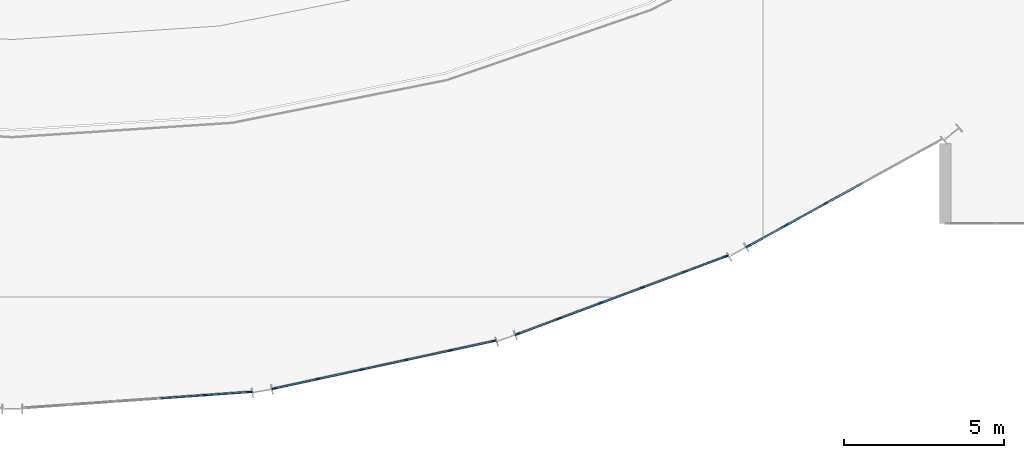
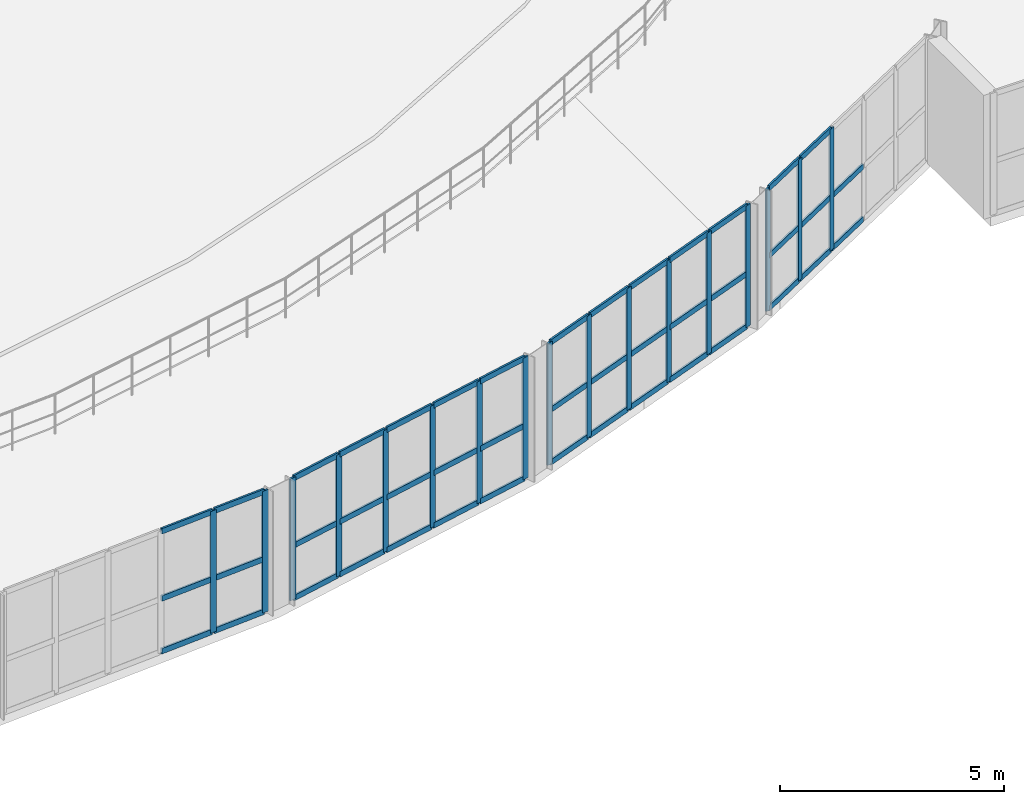
# One storey, part 14 of 40: 61 members, 4 elements without a shape of their own.
"""IFC4 building model written with IfcOpenShell, lengths in metres."""

import ifcopenshell
import ifcopenshell.guid

model = None  # the IFC model being written
_history = None  # IfcOwnerHistory: only IFC2X3 demands one
_inside = {}  # id of a spatial element -> (the spatial element, [elements in it])
_under = {}  # id of a project, library or spatial element -> (it, [spatial elements below it])
_declared = {}  # id of a project -> (the project, [libraries it declares])
_typed = {}  # id of a type object -> (the type object, [elements of that type])
_made_of = {}  # id of a material, layer set ... -> (it, [elements and type objects made of it])


def new_model(schema):
    """Start an empty IFC model of exactly this schema.

    Asked for "IFC4X3", IfcOpenShell would pick the latest addendum, in which some entities
    have other attributes; the version numbers below select the first issue.
    IFC2X3 requires an IfcOwnerHistory on every rooted entity: one is made here for all.
    """
    global model, _history
    if schema == "IFC4X3":
        model = ifcopenshell.file(schema_version=(4, 3, 0, 0))
    else:
        model = ifcopenshell.file(schema=schema)
    _inside.clear()
    _under.clear()
    _declared.clear()
    _typed.clear()
    _made_of.clear()
    _history = None
    if model.schema == "IFC2X3":
        org = make("IfcOrganization", Name="unknown")
        user = make(
            "IfcPersonAndOrganization",
            ThePerson=make("IfcPerson", FamilyName="unknown"),
            TheOrganization=org,
        )
        app = make(
            "IfcApplication",
            ApplicationDeveloper=org,
            Version="unknown",
            ApplicationFullName="unknown",
            ApplicationIdentifier="unknown",
        )
        _history = make(
            "IfcOwnerHistory",
            OwningUser=user,
            OwningApplication=app,
            ChangeAction="ADDED",
            CreationDate=0,
        )
    return model


def make(cls, **values):
    """One entity of the class cls with the attributes given. An attribute that is None is left unset."""
    return model.create_entity(
        cls, **{name: value for name, value in values.items() if value is not None}
    )


def rooted(cls, **values):
    """An entity with a GlobalId (a new one), such as an element, a storey or a relation."""
    return make(cls, GlobalId=ifcopenshell.guid.new(), OwnerHistory=_history, **values)


def si_unit(unit_type, name, prefix=None):
    """IfcSIUnit, for example si_unit("LENGTHUNIT", "METRE", prefix="MILLI")."""
    return make("IfcSIUnit", UnitType=unit_type, Prefix=prefix, Name=name)


def assignment(units):
    """IfcUnitAssignment: the units of a project."""
    return None if units is None else make("IfcUnitAssignment", Units=units)


def point(xyz):
    """IfcCartesianPoint."""
    return None if xyz is None else make("IfcCartesianPoint", Coordinates=xyz)


def direction(xyz):
    """IfcDirection."""
    return None if xyz is None else make("IfcDirection", DirectionRatios=xyz)


def frame(location, z_axis=None, x_axis=None):
    """IfcAxis2Placement3D, a coordinate frame: its origin and axes. An axis left out is left unset."""
    return make(
        "IfcAxis2Placement3D",
        Location=point(location),
        Axis=direction(z_axis),
        RefDirection=direction(x_axis),
    )


def frame_2d(location, x_axis=None):
    """IfcAxis2Placement2D, a coordinate frame in the plane: its origin and x axis."""
    return make(
        "IfcAxis2Placement2D", Location=point(location), RefDirection=direction(x_axis)
    )


def origin():
    """The frame at (0, 0, 0) with its axes left unset."""
    return frame((0.0, 0.0, 0.0))


def origin_2d():
    """The frame at (0, 0) in the plane with its x axis left unset."""
    return frame_2d((0.0, 0.0))


def place(relative_to, where):
    """IfcLocalPlacement: puts the frame where relative to a parent placement (None: the world)."""
    return make(
        "IfcLocalPlacement", PlacementRelTo=relative_to, RelativePlacement=where
    )


def context(
    kind, dimensions, precision=None, world=None, true_north=None, identifier=None
):
    """IfcGeometricRepresentationContext, for example the 3D "Model" context."""
    return make(
        "IfcGeometricRepresentationContext",
        ContextIdentifier=identifier,
        ContextType=kind,
        CoordinateSpaceDimension=dimensions,
        Precision=precision,
        WorldCoordinateSystem=world,
        TrueNorth=true_north,
    )


def subcontext(parent, identifier, kind, view, scale=None):
    """IfcGeometricRepresentationSubContext, for example "Body" below "Model"."""
    return make(
        "IfcGeometricRepresentationSubContext",
        ContextIdentifier=identifier,
        ContextType=kind,
        ParentContext=parent,
        TargetScale=scale,
        TargetView=view,
    )


def project(units=None, contexts=None):
    """IfcProject with its units and contexts."""
    return rooted(
        "IfcProject",
        Name="project",
        RepresentationContexts=contexts,
        UnitsInContext=assignment(units),
    )


def spatial(cls, under=None, at=None, **own):
    """A site, building, storey or space (cls), placed at a placement, below another one or the project."""
    s = rooted(cls, ObjectPlacement=at, **own)
    if under is not None:
        _under.setdefault(under.id(), (under, []))[1].append(s)
    return s


def profile(cls, at=None, kind="AREA", **sizes):
    """A parametric profile (cls). Its sizes go by their IFC names, for example OverallWidth=200.0."""
    return make(cls, ProfileType=kind, Position=at, **sizes)


def rectangle(**sizes):
    """IfcRectangleProfileDef."""
    return profile("IfcRectangleProfileDef", **sizes)


def extrude(swept, where, along, depth):
    """IfcExtrudedAreaSolid: the profile swept, set in the frame where, extruded along a direction by depth."""
    return make(
        "IfcExtrudedAreaSolid",
        SweptArea=swept,
        Position=where,
        ExtrudedDirection=direction(along),
        Depth=depth,
    )


def shape(context_of_items, identifier, shape_type, items):
    """IfcShapeRepresentation: the items that make up one representation, for example the "Body"."""
    return make(
        "IfcShapeRepresentation",
        ContextOfItems=context_of_items,
        RepresentationIdentifier=identifier,
        RepresentationType=shape_type,
        Items=items,
    )


def material(Name=None, Category=None):
    """IfcMaterial."""
    return make("IfcMaterial", Name=Name, Category=Category)


def material_profile(
    of_material, cross_section, Name=None, Category=None, Priority=None
):
    """IfcMaterialProfile: a cross section and its material."""
    return make(
        "IfcMaterialProfile",
        Name=Name,
        Material=of_material,
        Profile=cross_section,
        Priority=Priority,
        Category=Category,
    )


def profile_set(profiles, Name=None, composite=None):
    """IfcMaterialProfileSet."""
    return make(
        "IfcMaterialProfileSet",
        Name=Name,
        MaterialProfiles=profiles,
        CompositeProfile=composite,
    )


def made_of(thing, what):
    """Note that an element or type object is made of a material, layer set ...; save() writes the relation."""
    if what is not None:
        _made_of.setdefault(what.id(), (what, []))[1].append(thing)
    return thing


def type_object(cls, material=None, **own):
    """A type object (cls), such as IfcWallType, which elements share."""
    return made_of(rooted(cls, **own), material)


def element(
    cls,
    number,
    at=None,
    inside=None,
    cuts=None,
    type_object=None,
    material=None,
    context=None,
    identifier="Body",
    shape_type=None,
    held_by="IfcProductDefinitionShape",
    body=None,
    shapes=None,
    **own,
):
    """One element of the class cls, such as IfcWall. Its Tag is "e" and its number.

    at: its placement. inside: the storey or other place that contains it. cuts: it is an
    opening in that element (IfcRelVoidsElement). A single representation is given by context,
    identifier, shape_type and body (its items); several are given by shapes. held_by: the class
    of the entity that holds the representations. save() writes the other relations.
    """
    e = rooted(cls, Tag="e%d" % number, ObjectPlacement=at, **own)
    if body is not None:
        shapes = [shape(context, identifier, shape_type, body)]
    if shapes is not None:
        e.Representation = make(held_by, Representations=shapes)
    if inside is not None:
        _inside.setdefault(inside.id(), (inside, []))[1].append(e)
    if cuts is not None:
        rooted(
            "IfcRelVoidsElement", RelatingBuildingElement=cuts, RelatedOpeningElement=e
        )
    if type_object is not None:
        _typed.setdefault(type_object.id(), (type_object, []))[1].append(e)
    return made_of(e, material)


def aggregate(whole, parts):
    """IfcRelAggregates: a whole, such as a stair, and the parts it consists of."""
    return rooted("IfcRelAggregates", RelatingObject=whole, RelatedObjects=parts)


def save(model, path):
    """Write the relations noted so far, then the file.

    IfcRelAggregates (storeys below a building ...), IfcRelContainedInSpatialStructure (elements
    in a storey), IfcRelDefinesByType, IfcRelAssociatesMaterial and IfcRelDeclares: one each for
    every whole, place, type object, material and project.
    """
    for whole, parts in _under.values():
        aggregate(whole, parts)
    for where, things in _inside.values():
        rooted(
            "IfcRelContainedInSpatialStructure",
            RelatedElements=things,
            RelatingStructure=where,
        )
    for kind, things in _typed.values():
        rooted("IfcRelDefinesByType", RelatedObjects=things, RelatingType=kind)
    for what, things in _made_of.values():
        rooted("IfcRelAssociatesMaterial", RelatedObjects=things, RelatingMaterial=what)
    for by, libraries in _declared.values():
        rooted("IfcRelDeclares", RelatingContext=by, RelatedDefinitions=libraries)
    model.write(path)


model = new_model("IFC4")

# Units and contexts
model_context = context("Model", 3, precision=1e-05, world=origin(), true_north=direction((0.0, 1.0)))
body_context = subcontext(model_context, "Body", "Model", "MODEL_VIEW")
ifc_project = project(units=[si_unit("LENGTHUNIT", "METRE"), si_unit("AREAUNIT", "SQUARE_METRE"), si_unit("VOLUMEUNIT", "CUBIC_METRE"), si_unit("PLANEANGLEUNIT", "RADIAN"), si_unit("MASSUNIT", "GRAM", prefix="KILO")], contexts=[model_context])

# Site, building, storey
site_placement = place(None, origin())
site = spatial("IfcSite", under=ifc_project, at=site_placement, CompositionType="ELEMENT")
building_placement = place(site_placement, origin())
building = spatial("IfcBuilding", under=site, at=building_placement, Name="Glasvene Arena", CompositionType="ELEMENT")
storey_placement = place(building_placement, frame((0.0, 0.0, 24.0)))
storey = spatial("IfcBuildingStorey", under=building, at=storey_placement, Name="L05", CompositionType="ELEMENT", Elevation=24.0)

# Curtain wall, members
ifc_material_1 = material(Name="Low-emissivity laminated double glazing", Category="glass")
curtain_wall_type_1 = type_object("IfcCurtainWallType", Name="CW-FAC-L05-690x332", PredefinedType="USERDEFINED", material=ifc_material_1)
curtain_wall_1_placement = place(storey_placement, frame((121.0634765625, 36.41455078125, 0.0)))
curtain_wall_1 = element("IfcCurtainWall", 1, at=curtain_wall_1_placement, inside=storey, type_object=curtain_wall_type_1, Name="Unitised curtain wall CW-F-L05-150-1180-347-41", ObjectType="CURTAIN WALL", PredefinedType="USERDEFINED")
ifc_material_2 = material(Name="Anodised architectural aluminium", Category="aluminium")
ifc_material_profile_1 = material_profile(ifc_material_2, rectangle(XDim=0.050048828125, YDim=0.159912109375, at=origin_2d()), Name="ALU MULLION 50x160")
ifc_profile_set_1 = profile_set([ifc_material_profile_1], Name="Anodised architectural aluminium")
member_type_1 = type_object("IfcMemberType", Name="CW-MUL-150", PredefinedType="MULLION", material=ifc_profile_set_1)
member_1_placement = place(storey_placement, frame((117.43798828125, 34.4150390625, 0.06005859375), z_axis=(0.0, 0.0, 1.0), x_axis=(0.482938658483, -0.875654185248, 0.0)))
member_1 = element("IfcMember", 2, at=member_1_placement, type_object=member_type_1, Name="CW-062 mullion 4", PredefinedType="MULLION", context=body_context, shape_type="SweptSolid", body=[
    extrude(rectangle(XDim=0.050048828125, YDim=0.159912109375, at=origin_2d()), origin(), (0.0, 0.0, 1.0), 3.31982421875),
])
member_2_placement = place(storey_placement, frame((116.2294921875, 33.74853515625, 0.06005859375), z_axis=(0.0, 0.0, 1.0), x_axis=(0.482938658483, -0.875654185248, 0.0)))
member_2 = element("IfcMember", 3, at=member_2_placement, type_object=member_type_1, Name="CW-062 mullion 5", PredefinedType="MULLION", context=body_context, shape_type="SweptSolid", body=[
    extrude(rectangle(XDim=0.050048828125, YDim=0.159912109375, at=origin_2d()), origin(), (0.0, 0.0, 1.0), 3.31982421875),
])
member_3_placement = place(storey_placement, frame((115.042724609375, 33.093994140625, 0.06005859375), z_axis=(0.0, 0.0, 1.0), x_axis=(0.482938658483, -0.875654185248, 0.0)))
member_3 = element("IfcMember", 4, at=member_3_placement, type_object=member_type_1, Name="CW-062 mullion 6", PredefinedType="MULLION", context=body_context, shape_type="SweptSolid", body=[
    extrude(rectangle(XDim=0.050048828125, YDim=0.159912109375, at=origin_2d()), origin(), (0.0, 0.0, 1.0), 3.31982421875),
])

curtain_wall_type_2 = type_object("IfcCurtainWallType", Name="CW-FAC-L05-700x332", PredefinedType="USERDEFINED", material=ifc_material_1)
curtain_wall_2_placement = place(storey_placement, frame((114.351806640625, 32.77490234375, 0.0)))
curtain_wall_2 = element("IfcCurtainWall", 5, at=curtain_wall_2_placement, inside=storey, type_object=curtain_wall_type_2, Name="Unitised curtain wall CW-F-L05-150-1111-316-42", ObjectType="CURTAIN WALL", PredefinedType="USERDEFINED")
member_4_placement = place(storey_placement, frame((114.328369140625, 32.766357421875, 0.06005859375), z_axis=(0.0, 0.0, 1.0), x_axis=(0.349296753096, -0.937012154818, 0.0)))
member_4 = element("IfcMember", 6, at=member_4_placement, type_object=member_type_1, Name="CW-063 mullion 1", PredefinedType="MULLION", context=body_context, shape_type="SweptSolid", body=[
    extrude(rectangle(XDim=0.050048828125, YDim=0.159912109375, at=origin_2d()), origin(), (0.0, 0.0, 1.0), 3.31982421875),
])
member_5_placement = place(storey_placement, frame((113.040283203125, 32.2861328125, 0.06005859375), z_axis=(0.0, 0.0, 1.0), x_axis=(0.349296753096, -0.937012154818, 0.0)))
member_5 = element("IfcMember", 7, at=member_5_placement, type_object=member_type_1, Name="CW-063 mullion 2", PredefinedType="MULLION", context=body_context, shape_type="SweptSolid", body=[
    extrude(rectangle(XDim=0.050048828125, YDim=0.159912109375, at=origin_2d()), origin(), (0.0, 0.0, 1.0), 3.31982421875),
])
member_6_placement = place(storey_placement, frame((111.72900390625, 31.79736328125, 0.06005859375), z_axis=(0.0, 0.0, 1.0), x_axis=(0.349296753096, -0.937012154818, 0.0)))
member_6 = element("IfcMember", 8, at=member_6_placement, type_object=member_type_1, Name="CW-063 mullion 3", PredefinedType="MULLION", context=body_context, shape_type="SweptSolid", body=[
    extrude(rectangle(XDim=0.050048828125, YDim=0.159912109375, at=origin_2d()), origin(), (0.0, 0.0, 1.0), 3.31982421875),
])
member_7_placement = place(storey_placement, frame((110.41748046875, 31.308349609375, 0.06005859375), z_axis=(0.0, 0.0, 1.0), x_axis=(0.349296753096, -0.937012154818, 0.0)))
member_7 = element("IfcMember", 9, at=member_7_placement, type_object=member_type_1, Name="CW-063 mullion 4", PredefinedType="MULLION", context=body_context, shape_type="SweptSolid", body=[
    extrude(rectangle(XDim=0.050048828125, YDim=0.159912109375, at=origin_2d()), origin(), (0.0, 0.0, 1.0), 3.31982421875),
])
member_8_placement = place(storey_placement, frame((109.106201171875, 30.819580078125, 0.06005859375), z_axis=(0.0, 0.0, 1.0), x_axis=(0.349296753096, -0.937012154818, 0.0)))
member_8 = element("IfcMember", 10, at=member_8_placement, type_object=member_type_1, Name="CW-063 mullion 5", PredefinedType="MULLION", context=body_context, shape_type="SweptSolid", body=[
    extrude(rectangle(XDim=0.050048828125, YDim=0.159912109375, at=origin_2d()), origin(), (0.0, 0.0, 1.0), 3.31982421875),
])
member_9_placement = place(storey_placement, frame((107.818115234375, 30.33935546875, 0.06005859375), z_axis=(0.0, 0.0, 1.0), x_axis=(0.349296753096, -0.937012154818, 0.0)))
member_9 = element("IfcMember", 11, at=member_9_placement, type_object=member_type_1, Name="CW-063 mullion 6", PredefinedType="MULLION", context=body_context, shape_type="SweptSolid", body=[
    extrude(rectangle(XDim=0.050048828125, YDim=0.159912109375, at=origin_2d()), origin(), (0.0, 0.0, 1.0), 3.31982421875),
])

curtain_wall_type_3 = type_object("IfcCurtainWallType", Name="CW-FAC-L05-707x332", PredefinedType="USERDEFINED", material=ifc_material_1)
curtain_wall_3_placement = place(storey_placement, frame((107.089111328125, 30.12451171875, 0.0)))
curtain_wall_3 = element("IfcCurtainWall", 12, at=curtain_wall_3_placement, inside=storey, type_object=curtain_wall_type_3, Name="Unitised curtain wall CW-F-L05-150-1036-294-43", ObjectType="CURTAIN WALL", PredefinedType="USERDEFINED")
member_10_placement = place(storey_placement, frame((107.064697265625, 30.119140625, 0.06005859375), z_axis=(0.0, 0.0, 1.0), x_axis=(0.211220641072, -0.977438407668, 0.0)))
member_10 = element("IfcMember", 13, at=member_10_placement, type_object=member_type_1, Name="CW-064 mullion 1", PredefinedType="MULLION", context=body_context, shape_type="SweptSolid", body=[
    extrude(rectangle(XDim=0.050048828125, YDim=0.159912109375, at=origin_2d()), origin(), (0.0, 0.0, 1.0), 3.31982421875),
])
member_11_placement = place(storey_placement, frame((105.70751953125, 29.825927734375, 0.06005859375), z_axis=(0.0, 0.0, 1.0), x_axis=(0.211220641072, -0.977438407668, 0.0)))
member_11 = element("IfcMember", 14, at=member_11_placement, type_object=member_type_1, Name="CW-064 mullion 2", PredefinedType="MULLION", context=body_context, shape_type="SweptSolid", body=[
    extrude(rectangle(XDim=0.050048828125, YDim=0.159912109375, at=origin_2d()), origin(), (0.0, 0.0, 1.0), 3.31982421875),
])
member_12_placement = place(storey_placement, frame((104.32568359375, 29.52734375, 0.06005859375), z_axis=(0.0, 0.0, 1.0), x_axis=(0.211220641072, -0.977438407668, 0.0)))
member_12 = element("IfcMember", 15, at=member_12_placement, type_object=member_type_1, Name="CW-064 mullion 3", PredefinedType="MULLION", context=body_context, shape_type="SweptSolid", body=[
    extrude(rectangle(XDim=0.050048828125, YDim=0.159912109375, at=origin_2d()), origin(), (0.0, 0.0, 1.0), 3.31982421875),
])
member_13_placement = place(storey_placement, frame((102.944091796875, 29.228759765625, 0.06005859375), z_axis=(0.0, 0.0, 1.0), x_axis=(0.211220641072, -0.977438407668, 0.0)))
member_13 = element("IfcMember", 16, at=member_13_placement, type_object=member_type_1, Name="CW-064 mullion 4", PredefinedType="MULLION", context=body_context, shape_type="SweptSolid", body=[
    extrude(rectangle(XDim=0.050048828125, YDim=0.159912109375, at=origin_2d()), origin(), (0.0, 0.0, 1.0), 3.31982421875),
])
member_14_placement = place(storey_placement, frame((101.5625, 28.93017578125, 0.06005859375), z_axis=(0.0, 0.0, 1.0), x_axis=(0.211220641072, -0.977438407668, 0.0)))
member_14 = element("IfcMember", 17, at=member_14_placement, type_object=member_type_1, Name="CW-064 mullion 5", PredefinedType="MULLION", context=body_context, shape_type="SweptSolid", body=[
    extrude(rectangle(XDim=0.050048828125, YDim=0.159912109375, at=origin_2d()), origin(), (0.0, 0.0, 1.0), 3.31982421875),
])
member_15_placement = place(storey_placement, frame((100.205078125, 28.63671875, 0.06005859375), z_axis=(0.0, 0.0, 1.0), x_axis=(0.211220641072, -0.977438407668, 0.0)))
member_15 = element("IfcMember", 18, at=member_15_placement, type_object=member_type_1, Name="CW-064 mullion 6", PredefinedType="MULLION", context=body_context, shape_type="SweptSolid", body=[
    extrude(rectangle(XDim=0.050048828125, YDim=0.159912109375, at=origin_2d()), origin(), (0.0, 0.0, 1.0), 3.31982421875),
])

curtain_wall_type_4 = type_object("IfcCurtainWallType", Name="CW-FAC-L05-710x332", PredefinedType="USERDEFINED", material=ifc_material_1)
curtain_wall_4_placement = place(storey_placement, frame((99.453857421875, 28.528076171875, 0.0)))
curtain_wall_4 = element("IfcCurtainWall", 19, at=curtain_wall_4_placement, inside=storey, type_object=curtain_wall_type_4, Name="Unitised curtain wall CW-F-L05-150-959-283-44", ObjectType="CURTAIN WALL", PredefinedType="USERDEFINED")
member_16_placement = place(storey_placement, frame((99.428955078125, 28.526123046875, 0.06005859375), z_axis=(0.0, 0.0, 1.0), x_axis=(0.070656884566, -0.997500679029, 0.0)))
member_16 = element("IfcMember", 20, at=member_16_placement, type_object=member_type_1, Name="CW-065 mullion 1", PredefinedType="MULLION", context=body_context, shape_type="SweptSolid", body=[
    extrude(rectangle(XDim=0.050048828125, YDim=0.159912109375, at=origin_2d()), origin(), (0.0, 0.0, 1.0), 3.31982421875),
])
member_17_placement = place(storey_placement, frame((98.03662109375, 28.427490234375, 0.06005859375), z_axis=(0.0, 0.0, 1.0), x_axis=(0.070656884566, -0.997500679029, 0.0)))
member_17 = element("IfcMember", 21, at=member_17_placement, type_object=member_type_1, Name="CW-065 mullion 2", PredefinedType="MULLION", context=body_context, shape_type="SweptSolid", body=[
    extrude(rectangle(XDim=0.050048828125, YDim=0.159912109375, at=origin_2d()), origin(), (0.0, 0.0, 1.0), 3.31982421875),
])

# Member
ifc_material_profile_2 = material_profile(ifc_material_2, rectangle(XDim=0.050048828125, YDim=0.14990234375, at=origin_2d()), Name="ALU TRANSOM 50x150")
ifc_profile_set_2 = profile_set([ifc_material_profile_2], Name="Anodised architectural aluminium")
member_type_2 = type_object("IfcMemberType", Name="CW-TRN-150", PredefinedType="USERDEFINED", material=ifc_profile_set_2)
member_18_placement = place(storey_placement, frame((118.62451171875, 35.0693359375, 0.0849609375), z_axis=(-0.875676714478, -0.482897806705, 0.0), x_axis=(0.482897806705, -0.875676714478, 0.0)))
member_18 = element("IfcMember", 22, at=member_18_placement, type_object=member_type_2, Name="CW-062 transom 3.1", ObjectType="TRANSOM", PredefinedType="USERDEFINED", context=body_context, shape_type="SweptSolid", body=[
    extrude(rectangle(XDim=0.050048828125, YDim=0.14990234375, at=origin_2d()), origin(), (0.0, 0.0, 1.0), 1.330078125),
])

member_19_placement = place(storey_placement, frame((118.62451171875, 35.0693359375, 1.52099609375), z_axis=(-0.875676714478, -0.482897806705, 0.0), x_axis=(0.482897806705, -0.875676714478, 0.0)))
member_19 = element("IfcMember", 23, at=member_19_placement, type_object=member_type_2, Name="CW-062 transom 3.2", ObjectType="TRANSOM", PredefinedType="USERDEFINED", context=body_context, shape_type="SweptSolid", body=[
    extrude(rectangle(XDim=0.050048828125, YDim=0.14990234375, at=origin_2d()), origin(), (0.0, 0.0, 1.0), 1.330078125),
])

member_20_placement = place(storey_placement, frame((117.416015625, 34.40283203125, 0.0849609375), z_axis=(-0.875676714478, -0.482897806705, 0.0), x_axis=(0.482897806705, -0.875676714478, 0.0)))
member_20 = element("IfcMember", 24, at=member_20_placement, type_object=member_type_2, Name="CW-062 transom 4.1", ObjectType="TRANSOM", PredefinedType="USERDEFINED", context=body_context, shape_type="SweptSolid", body=[
    extrude(rectangle(XDim=0.050048828125, YDim=0.14990234375, at=origin_2d()), origin(), (0.0, 0.0, 1.0), 1.330078125),
])

member_21_placement = place(storey_placement, frame((117.416015625, 34.40283203125, 1.52099609375), z_axis=(-0.875676714478, -0.482897806705, 0.0), x_axis=(0.482897806705, -0.875676714478, 0.0)))
member_21 = element("IfcMember", 25, at=member_21_placement, type_object=member_type_2, Name="CW-062 transom 4.2", ObjectType="TRANSOM", PredefinedType="USERDEFINED", context=body_context, shape_type="SweptSolid", body=[
    extrude(rectangle(XDim=0.050048828125, YDim=0.14990234375, at=origin_2d()), origin(), (0.0, 0.0, 1.0), 1.330078125),
])

member_22_placement = place(storey_placement, frame((117.416015625, 34.40283203125, 3.35498046875), z_axis=(-0.875676714478, -0.482897806705, 0.0), x_axis=(0.482897806705, -0.875676714478, 0.0)))
member_22 = element("IfcMember", 26, at=member_22_placement, type_object=member_type_2, Name="CW-062 transom 4.3", ObjectType="TRANSOM", PredefinedType="USERDEFINED", context=body_context, shape_type="SweptSolid", body=[
    extrude(rectangle(XDim=0.050048828125, YDim=0.14990234375, at=origin_2d()), origin(), (0.0, 0.0, 1.0), 1.330078125),
])

member_23_placement = place(storey_placement, frame((116.20751953125, 33.736328125, 0.0849609375), z_axis=(-0.875626789087, -0.482988329293, 0.0), x_axis=(0.482988329293, -0.875626789087, 0.0)))
member_23 = element("IfcMember", 27, at=member_23_placement, type_object=member_type_2, Name="CW-062 transom 5.1", ObjectType="TRANSOM", PredefinedType="USERDEFINED", context=body_context, shape_type="SweptSolid", body=[
    extrude(rectangle(XDim=0.050048828125, YDim=0.14990234375, at=origin_2d()), origin(), (0.0, 0.0, 1.0), 1.30517578125),
])

member_24_placement = place(storey_placement, frame((116.20751953125, 33.736328125, 1.52099609375), z_axis=(-0.875626789087, -0.482988329293, 0.0), x_axis=(0.482988329293, -0.875626789087, 0.0)))
member_24 = element("IfcMember", 28, at=member_24_placement, type_object=member_type_2, Name="CW-062 transom 5.2", ObjectType="TRANSOM", PredefinedType="USERDEFINED", context=body_context, shape_type="SweptSolid", body=[
    extrude(rectangle(XDim=0.050048828125, YDim=0.14990234375, at=origin_2d()), origin(), (0.0, 0.0, 1.0), 1.30517578125),
])

member_25_placement = place(storey_placement, frame((116.20751953125, 33.736328125, 3.35498046875), z_axis=(-0.875626789087, -0.482988329293, 0.0), x_axis=(0.482988329293, -0.875626789087, 0.0)))
member_25 = element("IfcMember", 29, at=member_25_placement, type_object=member_type_2, Name="CW-062 transom 5.3", ObjectType="TRANSOM", PredefinedType="USERDEFINED", context=body_context, shape_type="SweptSolid", body=[
    extrude(rectangle(XDim=0.050048828125, YDim=0.14990234375, at=origin_2d()), origin(), (0.0, 0.0, 1.0), 1.30517578125),
])

aggregate(curtain_wall_1, [member_1, member_2, member_3, member_18, member_19, member_20, member_21, member_22, member_23, member_24, member_25])

member_26_placement = place(storey_placement, frame((114.304931640625, 32.757568359375, 0.0849609375), z_axis=(-0.937024171084, -0.349264516956, 0.0), x_axis=(0.349264516956, -0.937024171084, 0.0)))
member_26 = element("IfcMember", 30, at=member_26_placement, type_object=member_type_2, Name="CW-063 transom 1.1", ObjectType="TRANSOM", PredefinedType="USERDEFINED", context=body_context, shape_type="SweptSolid", body=[
    extrude(rectangle(XDim=0.050048828125, YDim=0.14990234375, at=origin_2d()), origin(), (0.0, 0.0, 1.0), 1.32470703125),
])

member_27_placement = place(storey_placement, frame((114.304931640625, 32.757568359375, 1.52099609375), z_axis=(-0.937024171084, -0.349264516956, 0.0), x_axis=(0.349264516956, -0.937024171084, 0.0)))
member_27 = element("IfcMember", 31, at=member_27_placement, type_object=member_type_2, Name="CW-063 transom 1.2", ObjectType="TRANSOM", PredefinedType="USERDEFINED", context=body_context, shape_type="SweptSolid", body=[
    extrude(rectangle(XDim=0.050048828125, YDim=0.14990234375, at=origin_2d()), origin(), (0.0, 0.0, 1.0), 1.32470703125),
])

member_28_placement = place(storey_placement, frame((114.304931640625, 32.757568359375, 3.35498046875), z_axis=(-0.937024171084, -0.349264516956, 0.0), x_axis=(0.349264516956, -0.937024171084, 0.0)))
member_28 = element("IfcMember", 32, at=member_28_placement, type_object=member_type_2, Name="CW-063 transom 1.3", ObjectType="TRANSOM", PredefinedType="USERDEFINED", context=body_context, shape_type="SweptSolid", body=[
    extrude(rectangle(XDim=0.050048828125, YDim=0.14990234375, at=origin_2d()), origin(), (0.0, 0.0, 1.0), 1.32470703125),
])

member_29_placement = place(storey_placement, frame((113.016845703125, 32.27734375, 0.0849609375), z_axis=(-0.93698923911, -0.349358219873, 0.0), x_axis=(0.349358219873, -0.93698923911, 0.0)))
member_29 = element("IfcMember", 33, at=member_29_placement, type_object=member_type_2, Name="CW-063 transom 2.1", ObjectType="TRANSOM", PredefinedType="USERDEFINED", context=body_context, shape_type="SweptSolid", body=[
    extrude(rectangle(XDim=0.050048828125, YDim=0.14990234375, at=origin_2d()), origin(), (0.0, 0.0, 1.0), 1.349365234375),
])

member_30_placement = place(storey_placement, frame((113.016845703125, 32.27734375, 1.52099609375), z_axis=(-0.93698923911, -0.349358219873, 0.0), x_axis=(0.349358219873, -0.93698923911, 0.0)))
member_30 = element("IfcMember", 34, at=member_30_placement, type_object=member_type_2, Name="CW-063 transom 2.2", ObjectType="TRANSOM", PredefinedType="USERDEFINED", context=body_context, shape_type="SweptSolid", body=[
    extrude(rectangle(XDim=0.050048828125, YDim=0.14990234375, at=origin_2d()), origin(), (0.0, 0.0, 1.0), 1.349365234375),
])

member_31_placement = place(storey_placement, frame((113.016845703125, 32.27734375, 3.35498046875), z_axis=(-0.93698923911, -0.349358219873, 0.0), x_axis=(0.349358219873, -0.93698923911, 0.0)))
member_31 = element("IfcMember", 35, at=member_31_placement, type_object=member_type_2, Name="CW-063 transom 2.3", ObjectType="TRANSOM", PredefinedType="USERDEFINED", context=body_context, shape_type="SweptSolid", body=[
    extrude(rectangle(XDim=0.050048828125, YDim=0.14990234375, at=origin_2d()), origin(), (0.0, 0.0, 1.0), 1.349365234375),
])

member_32_placement = place(storey_placement, frame((111.70556640625, 31.78857421875, 0.0849609375), z_axis=(-0.9370113151, -0.349299005687, 0.0), x_axis=(0.349299005687, -0.9370113151, 0.0)))
member_32 = element("IfcMember", 36, at=member_32_placement, type_object=member_type_2, Name="CW-063 transom 3.1", ObjectType="TRANSOM", PredefinedType="USERDEFINED", context=body_context, shape_type="SweptSolid", body=[
    extrude(rectangle(XDim=0.050048828125, YDim=0.14990234375, at=origin_2d()), origin(), (0.0, 0.0, 1.0), 1.349609375),
])

member_33_placement = place(storey_placement, frame((111.70556640625, 31.78857421875, 1.52099609375), z_axis=(-0.9370113151, -0.349299005687, 0.0), x_axis=(0.349299005687, -0.9370113151, 0.0)))
member_33 = element("IfcMember", 37, at=member_33_placement, type_object=member_type_2, Name="CW-063 transom 3.2", ObjectType="TRANSOM", PredefinedType="USERDEFINED", context=body_context, shape_type="SweptSolid", body=[
    extrude(rectangle(XDim=0.050048828125, YDim=0.14990234375, at=origin_2d()), origin(), (0.0, 0.0, 1.0), 1.349609375),
])

member_34_placement = place(storey_placement, frame((111.70556640625, 31.78857421875, 3.35498046875), z_axis=(-0.9370113151, -0.349299005687, 0.0), x_axis=(0.349299005687, -0.9370113151, 0.0)))
member_34 = element("IfcMember", 38, at=member_34_placement, type_object=member_type_2, Name="CW-063 transom 3.3", ObjectType="TRANSOM", PredefinedType="USERDEFINED", context=body_context, shape_type="SweptSolid", body=[
    extrude(rectangle(XDim=0.050048828125, YDim=0.14990234375, at=origin_2d()), origin(), (0.0, 0.0, 1.0), 1.349609375),
])

member_35_placement = place(storey_placement, frame((110.39404296875, 31.2998046875, 0.0849609375), z_axis=(-0.93698923911, -0.349358219873, 0.0), x_axis=(0.349358219873, -0.93698923911, 0.0)))
member_35 = element("IfcMember", 39, at=member_35_placement, type_object=member_type_2, Name="CW-063 transom 4.1", ObjectType="TRANSOM", PredefinedType="USERDEFINED", context=body_context, shape_type="SweptSolid", body=[
    extrude(rectangle(XDim=0.050048828125, YDim=0.14990234375, at=origin_2d()), origin(), (0.0, 0.0, 1.0), 1.349365234375),
])

member_36_placement = place(storey_placement, frame((110.39404296875, 31.2998046875, 1.52099609375), z_axis=(-0.93698923911, -0.349358219873, 0.0), x_axis=(0.349358219873, -0.93698923911, 0.0)))
member_36 = element("IfcMember", 40, at=member_36_placement, type_object=member_type_2, Name="CW-063 transom 4.2", ObjectType="TRANSOM", PredefinedType="USERDEFINED", context=body_context, shape_type="SweptSolid", body=[
    extrude(rectangle(XDim=0.050048828125, YDim=0.14990234375, at=origin_2d()), origin(), (0.0, 0.0, 1.0), 1.349365234375),
])

member_37_placement = place(storey_placement, frame((110.39404296875, 31.2998046875, 3.35498046875), z_axis=(-0.93698923911, -0.349358219873, 0.0), x_axis=(0.349358219873, -0.93698923911, 0.0)))
member_37 = element("IfcMember", 41, at=member_37_placement, type_object=member_type_2, Name="CW-063 transom 4.3", ObjectType="TRANSOM", PredefinedType="USERDEFINED", context=body_context, shape_type="SweptSolid", body=[
    extrude(rectangle(XDim=0.050048828125, YDim=0.14990234375, at=origin_2d()), origin(), (0.0, 0.0, 1.0), 1.349365234375),
])

member_38_placement = place(storey_placement, frame((109.082763671875, 30.810791015625, 0.0849609375), z_axis=(-0.937024171084, -0.349264516956, 0.0), x_axis=(0.349264516956, -0.937024171084, 0.0)))
member_38 = element("IfcMember", 42, at=member_38_placement, type_object=member_type_2, Name="CW-063 transom 5.1", ObjectType="TRANSOM", PredefinedType="USERDEFINED", context=body_context, shape_type="SweptSolid", body=[
    extrude(rectangle(XDim=0.050048828125, YDim=0.14990234375, at=origin_2d()), origin(), (0.0, 0.0, 1.0), 1.32470703125),
])

member_39_placement = place(storey_placement, frame((109.082763671875, 30.810791015625, 1.52099609375), z_axis=(-0.937024171084, -0.349264516956, 0.0), x_axis=(0.349264516956, -0.937024171084, 0.0)))
member_39 = element("IfcMember", 43, at=member_39_placement, type_object=member_type_2, Name="CW-063 transom 5.2", ObjectType="TRANSOM", PredefinedType="USERDEFINED", context=body_context, shape_type="SweptSolid", body=[
    extrude(rectangle(XDim=0.050048828125, YDim=0.14990234375, at=origin_2d()), origin(), (0.0, 0.0, 1.0), 1.32470703125),
])

member_40_placement = place(storey_placement, frame((109.082763671875, 30.810791015625, 3.35498046875), z_axis=(-0.937024171084, -0.349264516956, 0.0), x_axis=(0.349264516956, -0.937024171084, 0.0)))
member_40 = element("IfcMember", 44, at=member_40_placement, type_object=member_type_2, Name="CW-063 transom 5.3", ObjectType="TRANSOM", PredefinedType="USERDEFINED", context=body_context, shape_type="SweptSolid", body=[
    extrude(rectangle(XDim=0.050048828125, YDim=0.14990234375, at=origin_2d()), origin(), (0.0, 0.0, 1.0), 1.32470703125),
])

aggregate(curtain_wall_2, [member_4, member_5, member_6, member_7, member_8, member_9, member_26, member_27, member_28, member_29, member_30, member_31, member_32, member_33, member_34, member_35, member_36, member_37, member_38, member_39, member_40])

member_41_placement = place(storey_placement, frame((107.040283203125, 30.11376953125, 0.0849609375), z_axis=(-0.977440632027, -0.211210347432, 0.0), x_axis=(0.211210347432, -0.977440632027, 0.0)))
member_41 = element("IfcMember", 45, at=member_41_placement, type_object=member_type_2, Name="CW-064 transom 1.1", ObjectType="TRANSOM", PredefinedType="USERDEFINED", context=body_context, shape_type="SweptSolid", body=[
    extrude(rectangle(XDim=0.050048828125, YDim=0.14990234375, at=origin_2d()), origin(), (0.0, 0.0, 1.0), 1.338623046875),
])

member_42_placement = place(storey_placement, frame((107.040283203125, 30.11376953125, 1.52099609375), z_axis=(-0.977440632027, -0.211210347432, 0.0), x_axis=(0.211210347432, -0.977440632027, 0.0)))
member_42 = element("IfcMember", 46, at=member_42_placement, type_object=member_type_2, Name="CW-064 transom 1.2", ObjectType="TRANSOM", PredefinedType="USERDEFINED", context=body_context, shape_type="SweptSolid", body=[
    extrude(rectangle(XDim=0.050048828125, YDim=0.14990234375, at=origin_2d()), origin(), (0.0, 0.0, 1.0), 1.338623046875),
])

member_43_placement = place(storey_placement, frame((107.040283203125, 30.11376953125, 3.35498046875), z_axis=(-0.977440632027, -0.211210347432, 0.0), x_axis=(0.211210347432, -0.977440632027, 0.0)))
member_43 = element("IfcMember", 47, at=member_43_placement, type_object=member_type_2, Name="CW-064 transom 1.3", ObjectType="TRANSOM", PredefinedType="USERDEFINED", context=body_context, shape_type="SweptSolid", body=[
    extrude(rectangle(XDim=0.050048828125, YDim=0.14990234375, at=origin_2d()), origin(), (0.0, 0.0, 1.0), 1.338623046875),
])

member_44_placement = place(storey_placement, frame((105.68310546875, 29.820556640625, 0.0849609375), z_axis=(-0.977426158745, -0.211277315867, 0.0), x_axis=(0.211277315867, -0.977426158745, 0.0)))
member_44 = element("IfcMember", 48, at=member_44_placement, type_object=member_type_2, Name="CW-064 transom 2.1", ObjectType="TRANSOM", PredefinedType="USERDEFINED", context=body_context, shape_type="SweptSolid", body=[
    extrude(rectangle(XDim=0.050048828125, YDim=0.14990234375, at=origin_2d()), origin(), (0.0, 0.0, 1.0), 1.363525390625),
])

member_45_placement = place(storey_placement, frame((105.68310546875, 29.820556640625, 1.52099609375), z_axis=(-0.977426158745, -0.211277315867, 0.0), x_axis=(0.211277315867, -0.977426158745, 0.0)))
member_45 = element("IfcMember", 49, at=member_45_placement, type_object=member_type_2, Name="CW-064 transom 2.2", ObjectType="TRANSOM", PredefinedType="USERDEFINED", context=body_context, shape_type="SweptSolid", body=[
    extrude(rectangle(XDim=0.050048828125, YDim=0.14990234375, at=origin_2d()), origin(), (0.0, 0.0, 1.0), 1.363525390625),
])

member_46_placement = place(storey_placement, frame((105.68310546875, 29.820556640625, 3.35498046875), z_axis=(-0.977426158745, -0.211277315867, 0.0), x_axis=(0.211277315867, -0.977426158745, 0.0)))
member_46 = element("IfcMember", 50, at=member_46_placement, type_object=member_type_2, Name="CW-064 transom 2.3", ObjectType="TRANSOM", PredefinedType="USERDEFINED", context=body_context, shape_type="SweptSolid", body=[
    extrude(rectangle(XDim=0.050048828125, YDim=0.14990234375, at=origin_2d()), origin(), (0.0, 0.0, 1.0), 1.363525390625),
])

member_47_placement = place(storey_placement, frame((104.30126953125, 29.52197265625, 0.0849609375), z_axis=(-0.977426158745, -0.211277315867, 0.0), x_axis=(0.211277315867, -0.977426158745, 0.0)))
member_47 = element("IfcMember", 51, at=member_47_placement, type_object=member_type_2, Name="CW-064 transom 3.1", ObjectType="TRANSOM", PredefinedType="USERDEFINED", context=body_context, shape_type="SweptSolid", body=[
    extrude(rectangle(XDim=0.050048828125, YDim=0.14990234375, at=origin_2d()), origin(), (0.0, 0.0, 1.0), 1.363525390625),
])

member_48_placement = place(storey_placement, frame((104.30126953125, 29.52197265625, 1.52099609375), z_axis=(-0.977426158745, -0.211277315867, 0.0), x_axis=(0.211277315867, -0.977426158745, 0.0)))
member_48 = element("IfcMember", 52, at=member_48_placement, type_object=member_type_2, Name="CW-064 transom 3.2", ObjectType="TRANSOM", PredefinedType="USERDEFINED", context=body_context, shape_type="SweptSolid", body=[
    extrude(rectangle(XDim=0.050048828125, YDim=0.14990234375, at=origin_2d()), origin(), (0.0, 0.0, 1.0), 1.363525390625),
])

member_49_placement = place(storey_placement, frame((104.30126953125, 29.52197265625, 3.35498046875), z_axis=(-0.977426158745, -0.211277315867, 0.0), x_axis=(0.211277315867, -0.977426158745, 0.0)))
member_49 = element("IfcMember", 53, at=member_49_placement, type_object=member_type_2, Name="CW-064 transom 3.3", ObjectType="TRANSOM", PredefinedType="USERDEFINED", context=body_context, shape_type="SweptSolid", body=[
    extrude(rectangle(XDim=0.050048828125, YDim=0.14990234375, at=origin_2d()), origin(), (0.0, 0.0, 1.0), 1.363525390625),
])

member_50_placement = place(storey_placement, frame((102.919677734375, 29.223388671875, 0.0849609375), z_axis=(-0.977426158745, -0.211277315867, 0.0), x_axis=(0.211277315867, -0.977426158745, 0.0)))
member_50 = element("IfcMember", 54, at=member_50_placement, type_object=member_type_2, Name="CW-064 transom 4.1", ObjectType="TRANSOM", PredefinedType="USERDEFINED", context=body_context, shape_type="SweptSolid", body=[
    extrude(rectangle(XDim=0.050048828125, YDim=0.14990234375, at=origin_2d()), origin(), (0.0, 0.0, 1.0), 1.363525390625),
])

member_51_placement = place(storey_placement, frame((102.919677734375, 29.223388671875, 1.52099609375), z_axis=(-0.977426158745, -0.211277315867, 0.0), x_axis=(0.211277315867, -0.977426158745, 0.0)))
member_51 = element("IfcMember", 55, at=member_51_placement, type_object=member_type_2, Name="CW-064 transom 4.2", ObjectType="TRANSOM", PredefinedType="USERDEFINED", context=body_context, shape_type="SweptSolid", body=[
    extrude(rectangle(XDim=0.050048828125, YDim=0.14990234375, at=origin_2d()), origin(), (0.0, 0.0, 1.0), 1.363525390625),
])

member_52_placement = place(storey_placement, frame((102.919677734375, 29.223388671875, 3.35498046875), z_axis=(-0.977426158745, -0.211277315867, 0.0), x_axis=(0.211277315867, -0.977426158745, 0.0)))
member_52 = element("IfcMember", 56, at=member_52_placement, type_object=member_type_2, Name="CW-064 transom 4.3", ObjectType="TRANSOM", PredefinedType="USERDEFINED", context=body_context, shape_type="SweptSolid", body=[
    extrude(rectangle(XDim=0.050048828125, YDim=0.14990234375, at=origin_2d()), origin(), (0.0, 0.0, 1.0), 1.363525390625),
])

member_53_placement = place(storey_placement, frame((101.5380859375, 28.9248046875, 0.0849609375), z_axis=(-0.97744876634, -0.211172699892, 0.0), x_axis=(0.211172699892, -0.97744876634, 0.0)))
member_53 = element("IfcMember", 57, at=member_53_placement, type_object=member_type_2, Name="CW-064 transom 5.1", ObjectType="TRANSOM", PredefinedType="USERDEFINED", context=body_context, shape_type="SweptSolid", body=[
    extrude(rectangle(XDim=0.050048828125, YDim=0.14990234375, at=origin_2d()), origin(), (0.0, 0.0, 1.0), 1.3388671875),
])

member_54_placement = place(storey_placement, frame((101.5380859375, 28.9248046875, 1.52099609375), z_axis=(-0.97744876634, -0.211172699892, 0.0), x_axis=(0.211172699892, -0.97744876634, 0.0)))
member_54 = element("IfcMember", 58, at=member_54_placement, type_object=member_type_2, Name="CW-064 transom 5.2", ObjectType="TRANSOM", PredefinedType="USERDEFINED", context=body_context, shape_type="SweptSolid", body=[
    extrude(rectangle(XDim=0.050048828125, YDim=0.14990234375, at=origin_2d()), origin(), (0.0, 0.0, 1.0), 1.3388671875),
])

member_55_placement = place(storey_placement, frame((101.5380859375, 28.9248046875, 3.35498046875), z_axis=(-0.97744876634, -0.211172699892, 0.0), x_axis=(0.211172699892, -0.97744876634, 0.0)))
member_55 = element("IfcMember", 59, at=member_55_placement, type_object=member_type_2, Name="CW-064 transom 5.3", ObjectType="TRANSOM", PredefinedType="USERDEFINED", context=body_context, shape_type="SweptSolid", body=[
    extrude(rectangle(XDim=0.050048828125, YDim=0.14990234375, at=origin_2d()), origin(), (0.0, 0.0, 1.0), 1.3388671875),
])

aggregate(curtain_wall_3, [member_10, member_11, member_12, member_13, member_14, member_15, member_41, member_42, member_43, member_44, member_45, member_46, member_47, member_48, member_49, member_50, member_51, member_52, member_53, member_54, member_55])

member_56_placement = place(storey_placement, frame((99.404052734375, 28.5244140625, 0.0849609375), z_axis=(-0.997507268322, -0.070563798396, 0.0), x_axis=(0.070563798396, -0.997507268322, 0.0)))
member_56 = element("IfcMember", 60, at=member_56_placement, type_object=member_type_2, Name="CW-065 transom 1.1", ObjectType="TRANSOM", PredefinedType="USERDEFINED", context=body_context, shape_type="SweptSolid", body=[
    extrude(rectangle(XDim=0.050048828125, YDim=0.14990234375, at=origin_2d()), origin(), (0.0, 0.0, 1.0), 1.345947265625),
])

member_57_placement = place(storey_placement, frame((99.404052734375, 28.5244140625, 1.52099609375), z_axis=(-0.997507268322, -0.070563798396, 0.0), x_axis=(0.070563798396, -0.997507268322, 0.0)))
member_57 = element("IfcMember", 61, at=member_57_placement, type_object=member_type_2, Name="CW-065 transom 1.2", ObjectType="TRANSOM", PredefinedType="USERDEFINED", context=body_context, shape_type="SweptSolid", body=[
    extrude(rectangle(XDim=0.050048828125, YDim=0.14990234375, at=origin_2d()), origin(), (0.0, 0.0, 1.0), 1.345947265625),
])

member_58_placement = place(storey_placement, frame((99.404052734375, 28.5244140625, 3.35498046875), z_axis=(-0.997507268322, -0.070563798396, 0.0), x_axis=(0.070563798396, -0.997507268322, 0.0)))
member_58 = element("IfcMember", 62, at=member_58_placement, type_object=member_type_2, Name="CW-065 transom 1.3", ObjectType="TRANSOM", PredefinedType="USERDEFINED", context=body_context, shape_type="SweptSolid", body=[
    extrude(rectangle(XDim=0.050048828125, YDim=0.14990234375, at=origin_2d()), origin(), (0.0, 0.0, 1.0), 1.345947265625),
])

member_59_placement = place(storey_placement, frame((98.011474609375, 28.42578125, 0.0849609375), z_axis=(-0.997497424399, -0.070702816905, 0.0), x_axis=(0.070702816905, -0.997497424399, 0.0)))
member_59 = element("IfcMember", 63, at=member_59_placement, type_object=member_type_2, Name="CW-065 transom 2.1", ObjectType="TRANSOM", PredefinedType="USERDEFINED", context=body_context, shape_type="SweptSolid", body=[
    extrude(rectangle(XDim=0.050048828125, YDim=0.14990234375, at=origin_2d()), origin(), (0.0, 0.0, 1.0), 1.370849609375),
])

member_60_placement = place(storey_placement, frame((98.011474609375, 28.42578125, 1.52099609375), z_axis=(-0.997497424399, -0.070702816905, 0.0), x_axis=(0.070702816905, -0.997497424399, 0.0)))
member_60 = element("IfcMember", 64, at=member_60_placement, type_object=member_type_2, Name="CW-065 transom 2.2", ObjectType="TRANSOM", PredefinedType="USERDEFINED", context=body_context, shape_type="SweptSolid", body=[
    extrude(rectangle(XDim=0.050048828125, YDim=0.14990234375, at=origin_2d()), origin(), (0.0, 0.0, 1.0), 1.370849609375),
])

member_61_placement = place(storey_placement, frame((98.011474609375, 28.42578125, 3.35498046875), z_axis=(-0.997497424399, -0.070702816905, 0.0), x_axis=(0.070702816905, -0.997497424399, 0.0)))
member_61 = element("IfcMember", 65, at=member_61_placement, type_object=member_type_2, Name="CW-065 transom 2.3", ObjectType="TRANSOM", PredefinedType="USERDEFINED", context=body_context, shape_type="SweptSolid", body=[
    extrude(rectangle(XDim=0.050048828125, YDim=0.14990234375, at=origin_2d()), origin(), (0.0, 0.0, 1.0), 1.370849609375),
])

aggregate(curtain_wall_4, [member_16, member_17, member_56, member_57, member_58, member_59, member_60, member_61])

save(model, "model.ifc")
